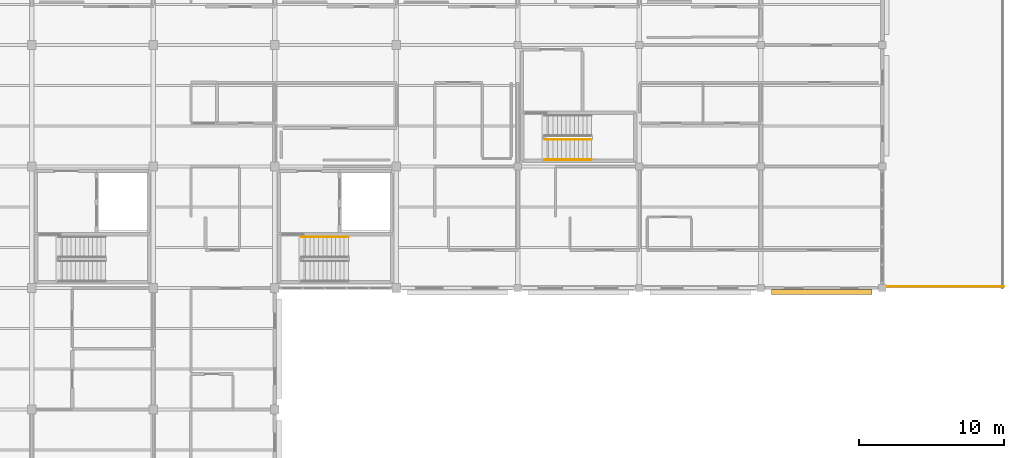
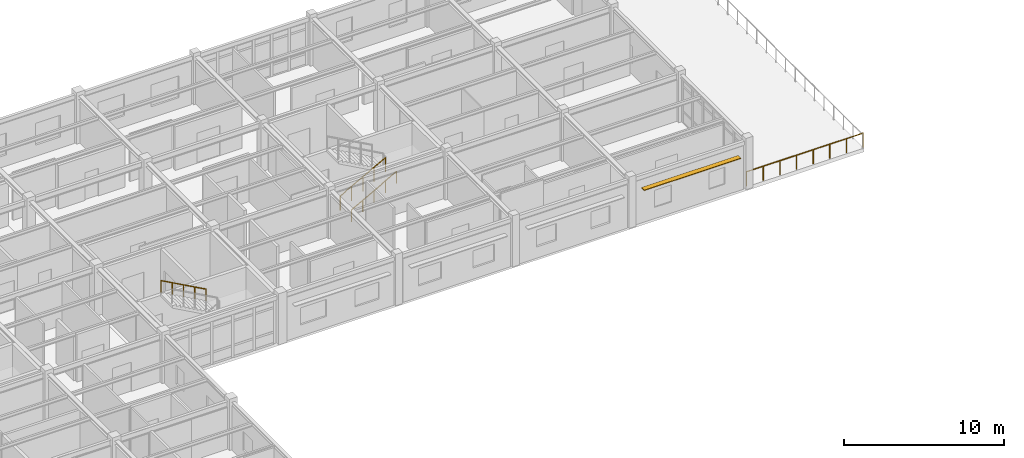
# One storey, part 68 of 70: 4 railings, 1 shading device.
"""IFC4 building model written with IfcOpenShell, lengths in metres."""

from ifc_helpers import new_model, si_unit, direction, frame, origin, origin_2d, place, context, subcontext, project, spatial, rectangle, circle, extrude, material, material_profile, profile_set, type_object, element, save


model = new_model("IFC4")

# Units and contexts
model_context = context("Model", 3, precision=1e-05, world=origin(), true_north=direction((0.0, 1.0)))
body_context = subcontext(model_context, "Body", "Model", "MODEL_VIEW")
ifc_project = project(units=[si_unit("LENGTHUNIT", "METRE"), si_unit("AREAUNIT", "SQUARE_METRE"), si_unit("VOLUMEUNIT", "CUBIC_METRE"), si_unit("PLANEANGLEUNIT", "RADIAN"), si_unit("MASSUNIT", "GRAM", prefix="KILO")], contexts=[model_context])

# Site, building, storey
site_placement = place(None, origin())
site = spatial("IfcSite", under=ifc_project, at=site_placement, CompositionType="ELEMENT")
building_placement = place(site_placement, origin())
building = spatial("IfcBuilding", under=site, at=building_placement, Name="Bramfleet General Hospital", CompositionType="ELEMENT")
storey_placement = place(building_placement, frame((0.0, 0.0, 22.5)))
storey = spatial("IfcBuildingStorey", under=building, at=storey_placement, Name="L05", CompositionType="ELEMENT", Elevation=22.5)

# Railings
ifc_material_1 = material(Name="Stainless steel 1.4401 safety balustrade", Category="steel")
railing_type_1 = type_object("IfcRailingType", Name="RAIL-EXT-GUARD", PredefinedType="GUARDRAIL", material=ifc_material_1)
railing_1_placement = place(storey_placement, frame((167.989990234375, 92.5, 0.0)))
element("IfcRailing", 1, at=railing_1_placement, inside=storey, type_object=railing_type_1, Name="L05 Safety Guard Rail 193", PredefinedType="GUARDRAIL", context=body_context, shape_type="SweptSolid", body=[
    extrude(circle(Radius=0.02392578125, at=origin_2d()), frame((0.0, 0.0, 1.076171875), z_axis=(-1.0, 0.0, 0.0), x_axis=(0.0, -1.0, 0.0)), (0.0, 0.0, 1.0), 8.3798828125),
    extrude(circle(Radius=0.02099609375, at=origin_2d()), origin(), (0.0, 0.0, 1.0), 1.052001953125),
    extrude(circle(Radius=0.02099609375, at=origin_2d()), frame((-1.197021484375, 0.0, 0.0)), (0.0, 0.0, 1.0), 1.052001953125),
    extrude(circle(Radius=0.02099609375, at=origin_2d()), frame((-2.394287109375, 0.0, 0.0)), (0.0, 0.0, 1.0), 1.052001953125),
    extrude(circle(Radius=0.02099609375, at=origin_2d()), frame((-3.59130859375, 0.0, 0.0)), (0.0, 0.0, 1.0), 1.052001953125),
    extrude(circle(Radius=0.02099609375, at=origin_2d()), frame((-4.78857421875, 0.0, 0.0)), (0.0, 0.0, 1.0), 1.052001953125),
    extrude(circle(Radius=0.02099609375, at=origin_2d()), frame((-5.985595703125, 0.0, 0.0)), (0.0, 0.0, 1.0), 1.052001953125),
    extrude(circle(Radius=0.02099609375, at=origin_2d()), frame((-7.182861328125, 0.0, 0.0)), (0.0, 0.0, 1.0), 1.052001953125),
    extrude(circle(Radius=0.02099609375, at=origin_2d()), frame((-8.3798828125, 0.0, 0.0)), (0.0, 0.0, 1.0), 1.052001953125),
])
ifc_material_2 = material(Name="Powder-coated steel stair balustrade", Category="steel")
railing_type_2 = type_object("IfcRailingType", Name="RAIL-ST-GUARD", PredefinedType="GUARDRAIL", material=ifc_material_2)
railing_2_placement = place(storey_placement, frame((136.239990234375, 102.669921875, 0.16259765625)))
element("IfcRailing", 2, at=railing_2_placement, inside=storey, type_object=railing_type_2, Name="L05 ST-C9 stair guard 1", PredefinedType="GUARDRAIL", context=body_context, shape_type="SweptSolid", body=[
    extrude(circle(Radius=0.02392578125, at=origin_2d()), frame((0.0, 0.0, 1.076171875), z_axis=(0.875926352668, 0.0, 0.482444841098), x_axis=(0.0, 1.0, 0.0)), (0.0, 0.0, 1.0), 3.704833984375),
    extrude(circle(Radius=0.02099609375, at=origin_2d()), origin(), (0.0, 0.0, 1.0), 1.052001953125),
    extrude(circle(Radius=0.02099609375, at=origin_2d()), frame((0.811279296875, 0.0, 0.44677734375)), (0.0, 0.0, 1.0), 1.052001953125),
    extrude(circle(Radius=0.02099609375, at=origin_2d()), frame((1.62255859375, 0.0, 0.8935546875)), (0.0, 0.0, 1.0), 1.052001953125),
    extrude(circle(Radius=0.02099609375, at=origin_2d()), frame((2.433837890625, 0.0, 1.340576171875)), (0.0, 0.0, 1.0), 1.052001953125),
    extrude(circle(Radius=0.02099609375, at=origin_2d()), frame((3.2451171875, 0.0, 1.787353515625)), (0.0, 0.0, 1.0), 1.052001953125),
])
ifc_material_3 = material(Name="Stainless steel 1.4301 stair handrail", Category="steel")
railing_type_3 = type_object("IfcRailingType", Name="RAIL-ST-HND", PredefinedType="HANDRAIL", material=ifc_material_3)
railing_3_placement = place(storey_placement, frame((122.68505859375, 95.929931640625, 2.112548828125)))
element("IfcRailing", 3, at=railing_3_placement, inside=storey, type_object=railing_type_3, Name="L05 ST-C6 stair handrail 2", PredefinedType="HANDRAIL", context=body_context, shape_type="SweptSolid", body=[
    extrude(circle(Radius=0.02392578125, at=origin_2d()), frame((0.0, 0.0, 0.8759765625), z_axis=(-0.875926352668, 0.0, 0.482444841098), x_axis=(0.0, -1.0, 0.0)), (0.0, 0.0, 1.0), 3.704833984375),
    extrude(circle(Radius=0.02099609375, at=origin_2d()), origin(), (0.0, 0.0, 1.0), 0.851806640625),
    extrude(circle(Radius=0.02099609375, at=origin_2d()), frame((-0.811279296875, 0.0, 0.44677734375)), (0.0, 0.0, 1.0), 0.851806640625),
    extrude(circle(Radius=0.02099609375, at=origin_2d()), frame((-1.62255859375, 0.0, 0.8935546875)), (0.0, 0.0, 1.0), 0.851806640625),
    extrude(circle(Radius=0.02099609375, at=origin_2d()), frame((-2.433837890625, 0.0, 1.340576171875)), (0.0, 0.0, 1.0), 0.851806640625),
    extrude(circle(Radius=0.02099609375, at=origin_2d()), frame((-3.2451171875, 0.0, 1.787353515625)), (0.0, 0.0, 1.0), 0.851806640625),
])
railing_4_placement = place(storey_placement, frame((136.239990234375, 101.27001953125, 0.16259765625)))
element("IfcRailing", 4, at=railing_4_placement, inside=storey, type_object=railing_type_3, Name="L05 ST-C9 stair handrail 1", PredefinedType="HANDRAIL", context=body_context, shape_type="SweptSolid", body=[
    extrude(circle(Radius=0.02392578125, at=origin_2d()), frame((0.0, 0.0, 0.8759765625), z_axis=(0.875926352668, 0.0, 0.482444841098), x_axis=(0.0, 1.0, 0.0)), (0.0, 0.0, 1.0), 3.704833984375),
    extrude(circle(Radius=0.02099609375, at=origin_2d()), origin(), (0.0, 0.0, 1.0), 0.851806640625),
    extrude(circle(Radius=0.02099609375, at=origin_2d()), frame((0.811279296875, 0.0, 0.44677734375)), (0.0, 0.0, 1.0), 0.851806640625),
    extrude(circle(Radius=0.02099609375, at=origin_2d()), frame((1.62255859375, 0.0, 0.8935546875)), (0.0, 0.0, 1.0), 0.851806640625),
    extrude(circle(Radius=0.02099609375, at=origin_2d()), frame((2.433837890625, 0.0, 1.340576171875)), (0.0, 0.0, 1.0), 0.851806640625),
    extrude(circle(Radius=0.02099609375, at=origin_2d()), frame((3.2451171875, 0.0, 1.787353515625)), (0.0, 0.0, 1.0), 0.851806640625),
])

# Shading device
ifc_material_4 = material(Name="Anodised aluminium EN AW-6063", Category="aluminium")
ifc_material_profile = material_profile(ifc_material_4, rectangle(XDim=0.050048828125, YDim=0.35009765625, at=origin_2d()), Name="ALU LOUVRE 350x50")
ifc_profile_set = profile_set([ifc_material_profile], Name="Anodised aluminium EN AW-6063")
shading_device_type = type_object("IfcShadingDeviceType", Name="SHD-LVR-350", PredefinedType="USERDEFINED", material=ifc_profile_set)
shading_device_placement = place(storey_placement, frame((158.875, 92.12255859375, 2.669921875), z_axis=(-1.0, 0.0, 0.0), x_axis=(0.0, 0.0, 1.0)))
element("IfcShadingDevice", 5, at=shading_device_placement, inside=storey, type_object=shading_device_type, Name="L05 Solar Shading Louvre 52", ObjectType="Louvre", PredefinedType="USERDEFINED", context=body_context, shape_type="SweptSolid", body=[
    extrude(rectangle(XDim=0.050048828125, YDim=0.35009765625, at=origin_2d()), origin(), (0.0, 0.0, 1.0), 6.949951171875),
])

save(model, "model.ifc")
